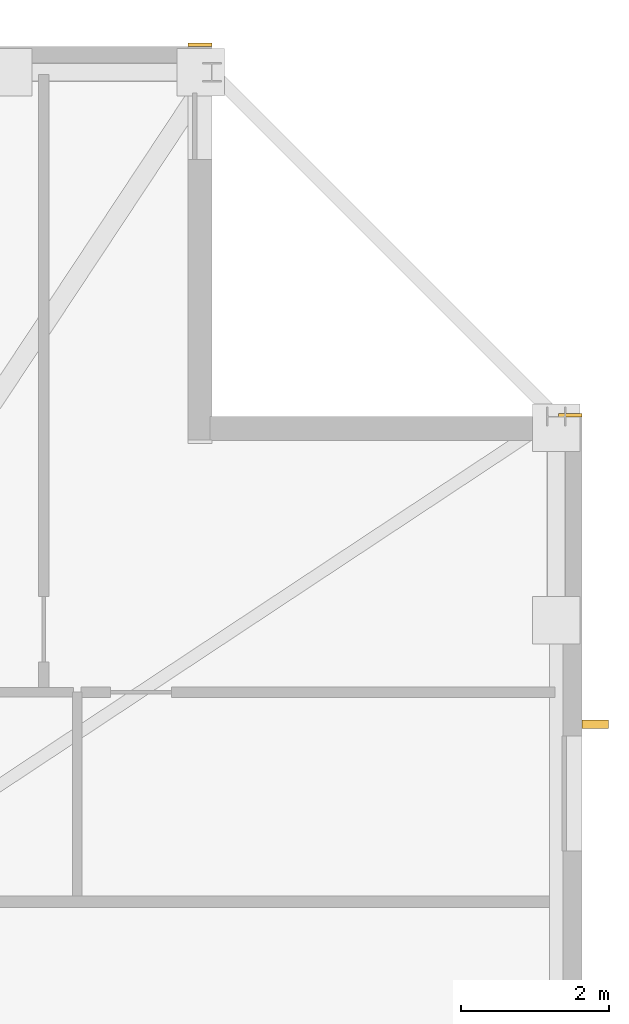
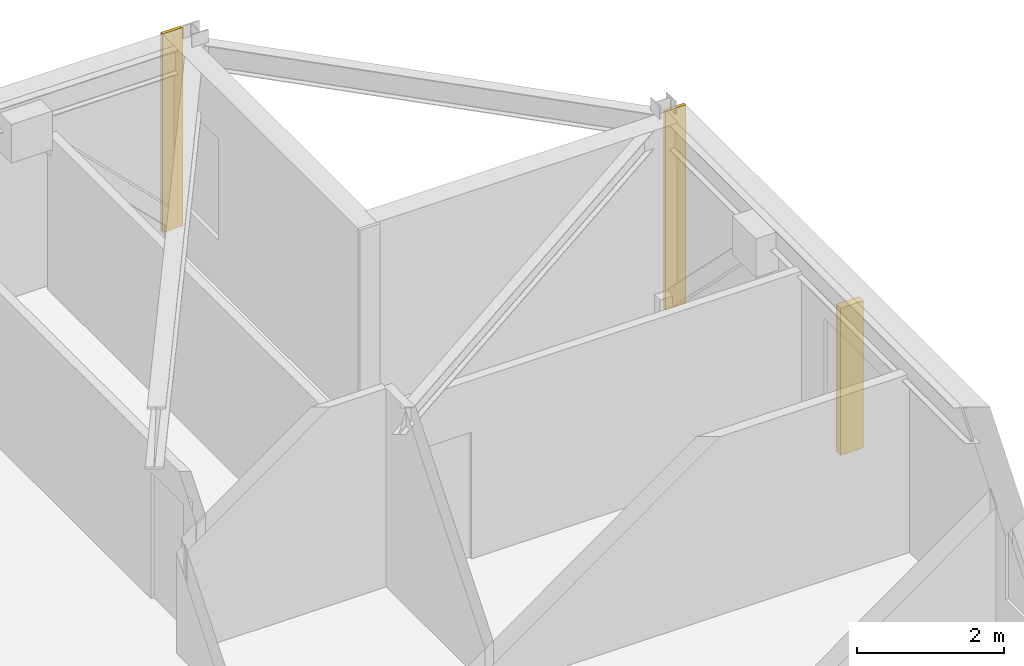
# One storey, part 17 of 17: 2 coverings, 1 shading device.
"""IFC4 building model written with IfcOpenShell, lengths in metres."""

from ifc_helpers import new_model, si_unit, direction, frame, frame_2d, origin, origin_2d, place, context, subcontext, project, spatial, rectangle, extrude, material, layer, layer_set, type_object, element, save


model = new_model("IFC4")

# Units and contexts
model_context = context("Model", 3, precision=1e-05, world=origin(), true_north=direction((0.0, 1.0)))
body_context = subcontext(model_context, "Body", "Model", "MODEL_VIEW")
ifc_project = project(units=[si_unit("LENGTHUNIT", "METRE"), si_unit("AREAUNIT", "SQUARE_METRE"), si_unit("VOLUMEUNIT", "CUBIC_METRE"), si_unit("PLANEANGLEUNIT", "RADIAN"), si_unit("MASSUNIT", "GRAM", prefix="KILO")], contexts=[model_context])

# Site, building, storey
site_placement = place(None, origin())
site = spatial("IfcSite", under=ifc_project, at=site_placement, CompositionType="ELEMENT")
building_placement = place(site_placement, origin())
building = spatial("IfcBuilding", under=site, at=building_placement, Name="Cairnveth Concourse Tower", CompositionType="ELEMENT")
storey_placement = place(building_placement, frame((0.0, 0.0, 206.0)))
storey = spatial("IfcBuildingStorey", under=building, at=storey_placement, Name="L56", CompositionType="ELEMENT", Elevation=206.0)

# Coverings
ifc_material_1 = material(Name="Dressed Melbourne Bluestone Cladding", Category="masonry")
ifc_layer = layer(ifc_material_1, 0.050048828125)
ifc_layer_set = layer_set([ifc_layer], Name="Dressed Melbourne Bluestone Cladding")
covering_type = type_object("IfcCoveringType", Name="DRESSED BLUESTONE PLINTH CLADDING 50", PredefinedType="CLADDING", material=ifc_layer_set)
for number, where, z_axis, x_axis, name in (
    (1, (69.179931640625, 61.52001953125, 0.0), (0.0, 0.0, 1.0), (1.0, 0.0, 0.0), "Melbourne Bluestone Corner Quoin L56-832"),
    (2, (74.179931640625, 56.52001953125, 0.0), (0.0, 0.0, 1.0), (1.0, 0.0, 0.0), "Melbourne Bluestone Corner Quoin L56-834"),
):
    element("IfcCovering", number, at=place(storey_placement, frame(where, z_axis=z_axis, x_axis=x_axis)), inside=storey, type_object=covering_type, Name=name, PredefinedType="CLADDING", context=body_context, shape_type="SweptSolid", body=[
        extrude(rectangle(XDim=0.320068359375, YDim=0.050048828125, at=frame_2d((0.16015625, 0.0))), origin(), (0.0, 0.0, 1.0), 3.2900390625),
    ])

# Shading device
ifc_material_2 = material(Name="Architectural Bronze Anodised Aluminium 6063-T6", Category="aluminium")
shading_device_type = type_object("IfcShadingDeviceType", Name="GOTHIC BRONZE VERTICAL LANCET FIN", PredefinedType="USERDEFINED", material=ifc_material_2)
shading_device_placement = place(storey_placement, frame((74.675048828125, 52.347412109375, 0.030029296875), z_axis=(0.0, 0.0, 1.0), x_axis=(0.0, 1.0, 0.0)))
element("IfcShadingDevice", 3, at=shading_device_placement, inside=storey, type_object=shading_device_type, Name="Gothic Bronze Vertical Fin L56-3-1", ObjectType="VERTICAL FIN", PredefinedType="USERDEFINED", context=body_context, shape_type="SweptSolid", body=[
    extrude(rectangle(XDim=0.1201171875, YDim=0.360107421875, at=origin_2d()), origin(), (0.0, 0.0, 1.0), 2.43798828125),
])

save(model, "model.ifc")
